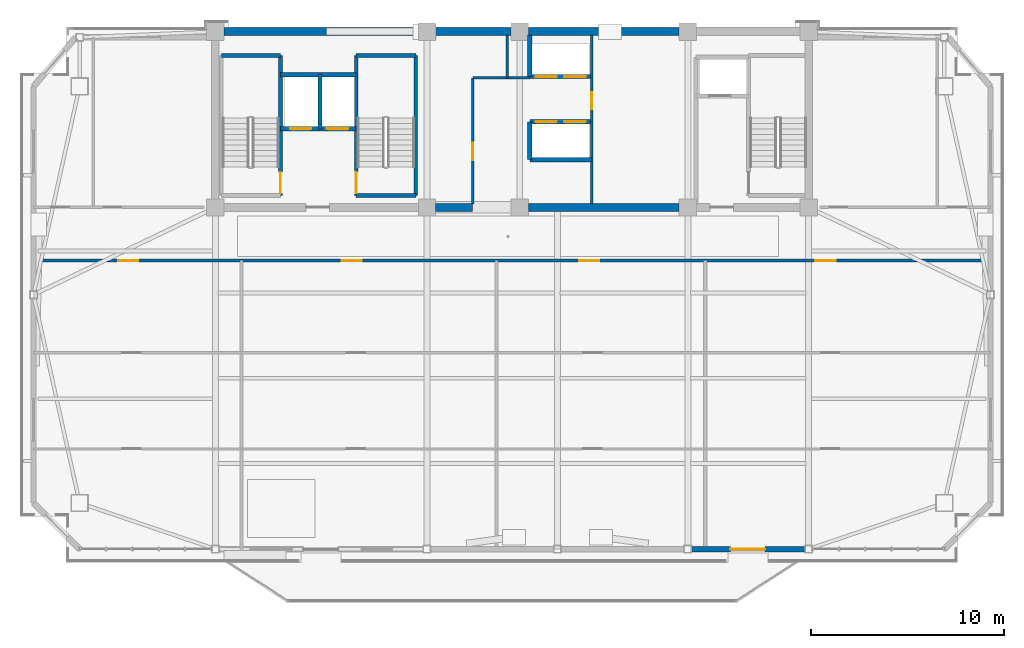
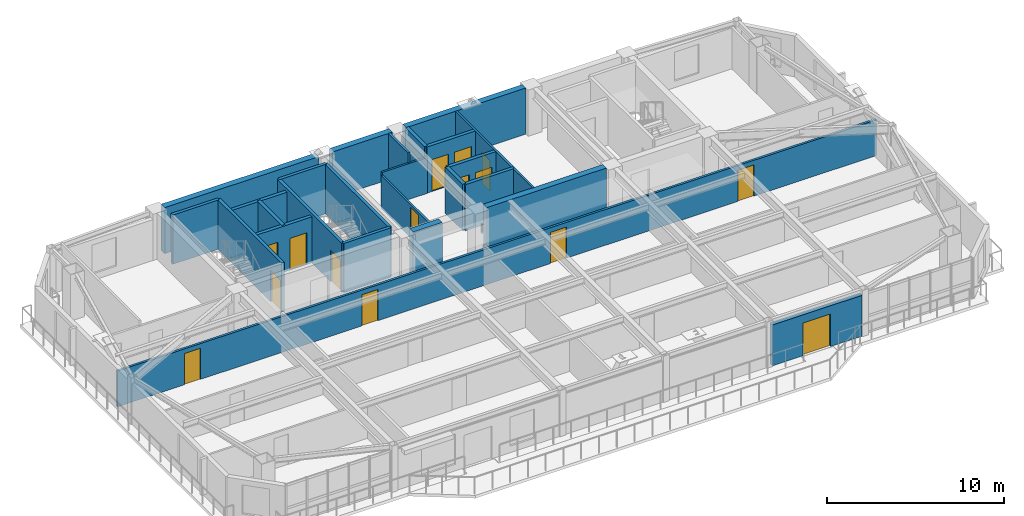
# One storey, part 7 of 13: 25 walls, 15 doors, 15 openings.
"""IFC4 building model written with IfcOpenShell, lengths in metres."""

from ifc_helpers import new_model, si_unit, direction, frame, frame_2d, origin, place, context, subcontext, project, spatial, rectangle, extrude, source, transform, mapped, material, layer, layer_set, type_object, element, fill, save


model = new_model("IFC4")

# Units and contexts
model_context = context("Model", 3, precision=1e-05, world=origin(), true_north=direction((0.0, 1.0)))
body_context = subcontext(model_context, "Body", "Model", "MODEL_VIEW")
ifc_project = project(units=[si_unit("LENGTHUNIT", "METRE"), si_unit("AREAUNIT", "SQUARE_METRE"), si_unit("VOLUMEUNIT", "CUBIC_METRE"), si_unit("PLANEANGLEUNIT", "RADIAN"), si_unit("MASSUNIT", "GRAM", prefix="KILO")], contexts=[model_context])

# Site, building, storey
site_placement = place(None, origin())
site = spatial("IfcSite", under=ifc_project, at=site_placement, CompositionType="ELEMENT")
building_placement = place(site_placement, origin())
building = spatial("IfcBuilding", under=site, at=building_placement, Name="Giltprow Tower", CompositionType="ELEMENT")
storey_placement = place(building_placement, frame((0.0, 0.0, 307.39990234375)))
storey = spatial("IfcBuildingStorey", under=building, at=storey_placement, Name="L79", CompositionType="ELEMENT", Elevation=307.39990234375)

# Wall, opening, door
ifc_material_1 = material(Name="Precast concrete C40", Category="concrete")
ifc_layer_1 = layer(ifc_material_1, 0.280029296875, Name="Precast concrete C40")
ifc_layer_set_1 = layer_set([ifc_layer_1], Name="Precast concrete C40")
wall_type_1 = type_object("IfcWallType", Name="EW-TOW-BRONZE-280", PredefinedType="SOLIDWALL", material=ifc_layer_set_1)
wall_1_placement = place(storey_placement, frame((44.5, 19.77197265625, 0.0), z_axis=(0.0, 0.0, 1.0), x_axis=(1.0, 0.0, 0.0)))
wall_1 = element("IfcWall", 1, at=wall_1_placement, inside=storey, type_object=wall_type_1, Name="L79 South Expressed Frame Wall 5", PredefinedType="SOLIDWALL", context=body_context, shape_type="SweptSolid", body=[
    extrude(rectangle(XDim=5.85009765625, YDim=0.280029296875, at=frame_2d((2.925048828125, 0.0))), origin(), (0.0, 0.0, 1.0), 2.815185546875),
])
opening_1_placement = place(wall_1_placement, frame((2.0, 0.0, 0.0)))
opening_1 = element("IfcOpeningElement", 2, at=opening_1_placement, cuts=wall_1, Name="Opening ED25", PredefinedType="OPENING", context=body_context, shape_type="SweptSolid", body=[
    extrude(rectangle(XDim=1.800048828125, YDim=2.25, at=frame_2d((0.89990234375, 1.125))), frame((0.0, 0.14990234375, 0.0), z_axis=(0.0, -1.0, 0.0), x_axis=(1.0, 0.0, 0.0)), (0.0, 0.0, 1.0), 0.300048828125),
])
ifc_material_2 = material(Name="Anodized bronze and glass", Category="glass")
door_type_1 = type_object("IfcDoorType", Name="DR-BALC-SLIDE-1800", OperationType="SLIDING_TO_LEFT", PredefinedType="DOOR", material=ifc_material_2)
shared_shape_1 = source(origin(), body_context, "Body", "SweptSolid", [
    extrude(rectangle(XDim=1.800048828125, YDim=2.25, at=frame_2d((0.89990234375, 1.125))), frame((0.0, 0.02490234375, 0.0), z_axis=(0.0, -1.0, 0.0), x_axis=(1.0, 0.0, 0.0)), (0.0, 0.0, 1.0), 0.050048828125),
])
door_1_placement = place(opening_1_placement, origin())
door_1 = element("IfcDoor", 3, at=door_1_placement, inside=storey, type_object=door_type_1, Name="L79 Waterfront Balcony Sliding Door 2", OperationType="SLIDING_TO_LEFT", OverallHeight=2.25, OverallWidth=1.800048828125, PredefinedType="DOOR", context=body_context, shape_type="MappedRepresentation", body=[
    mapped(shared_shape_1, transform((0.0, 0.0, 0.0), x_axis=(1.0, 0.0, 0.0), y_axis=(0.0, 1.0, 0.0), z_axis=(0.0, 0.0, 1.0), scale=1.0)),
])
fill(opening_1, door_1)

# Wall, openings, doors
ifc_material_3 = material(Name="Gypsum stud partition", Category="gypsum")
ifc_layer_2 = layer(ifc_material_3, 0.14990234375, Name="Gypsum stud partition")
ifc_layer_set_2 = layer_set([ifc_layer_2], Name="Gypsum stud partition")
wall_type_2 = type_object("IfcWallType", Name="IW-CORR-150", PredefinedType="PARTITIONING", material=ifc_layer_set_2)
wall_2_placement = place(storey_placement, frame((10.43994140625, 34.699951171875, 0.0), z_axis=(0.0, 0.0, 1.0), x_axis=(1.0, 0.0, 0.0)))
wall_2 = element("IfcWall", 4, at=wall_2_placement, inside=storey, type_object=wall_type_2, Name="L79 Residence Gallery Corridor Wall", PredefinedType="PARTITIONING", context=body_context, shape_type="SweptSolid", body=[
    extrude(rectangle(XDim=49.52001953125, YDim=0.14990234375, at=frame_2d((24.760009765625, 0.0))), origin(), (0.0, 0.0, 1.0), 2.47021484375),
])
opening_2_placement = place(wall_2_placement, frame((4.382080078125, 0.0, 0.0)))
opening_2 = element("IfcOpeningElement", 5, at=opening_2_placement, cuts=wall_2, Name="Opening ID31", PredefinedType="OPENING", context=body_context, shape_type="SweptSolid", body=[
    extrude(rectangle(XDim=1.050048828125, YDim=2.14990234375, at=frame_2d((0.52490234375, 1.074951171875))), frame((0.0, 0.0849609375, 0.0), z_axis=(0.0, -1.0, 0.0), x_axis=(1.0, 0.0, 0.0)), (0.0, 0.0, 1.0), 0.169921875),
])
opening_3_placement = place(wall_2_placement, frame((15.945068359375, 0.0, 0.0)))
opening_3 = element("IfcOpeningElement", 6, at=opening_3_placement, cuts=wall_2, Name="Opening ID31", PredefinedType="OPENING", context=body_context, shape_type="SweptSolid", body=[
    extrude(rectangle(XDim=1.050048828125, YDim=2.14990234375, at=frame_2d((0.52490234375, 1.074951171875))), frame((0.0, 0.0849609375, 0.0), z_axis=(0.0, -1.0, 0.0), x_axis=(1.0, 0.0, 0.0)), (0.0, 0.0, 1.0), 0.169921875),
])
opening_4_placement = place(wall_2_placement, frame((28.23291015625, 0.0, 0.0)))
opening_4 = element("IfcOpeningElement", 7, at=opening_4_placement, cuts=wall_2, Name="Opening ID31", PredefinedType="OPENING", context=body_context, shape_type="SweptSolid", body=[
    extrude(rectangle(XDim=1.050048828125, YDim=2.14990234375, at=frame_2d((0.52490234375, 1.074951171875))), frame((0.0, 0.0849609375, 0.0), z_axis=(0.0, -1.0, 0.0), x_axis=(1.0, 0.0, 0.0)), (0.0, 0.0, 1.0), 0.169921875),
])
opening_5_placement = place(wall_2_placement, frame((40.4619140625, 0.0, 0.0)))
opening_5 = element("IfcOpeningElement", 8, at=opening_5_placement, cuts=wall_2, Name="Opening ID31", PredefinedType="OPENING", context=body_context, shape_type="SweptSolid", body=[
    extrude(rectangle(XDim=1.050048828125, YDim=2.14990234375, at=frame_2d((0.52490234375, 1.074951171875))), frame((0.0, 0.0849609375, 0.0), z_axis=(0.0, -1.0, 0.0), x_axis=(1.0, 0.0, 0.0)), (0.0, 0.0, 1.0), 0.169921875),
])
ifc_material_4 = material(Name="Engineered timber", Category="wood")
door_type_2 = type_object("IfcDoorType", Name="DR-SUITE-1050", OperationType="SINGLE_SWING_LEFT", PredefinedType="DOOR", material=ifc_material_4)
shared_shape_2 = source(origin(), body_context, "Body", "SweptSolid", [
    extrude(rectangle(XDim=1.050048828125, YDim=2.14990234375, at=frame_2d((0.52490234375, 1.074951171875))), frame((0.0, 0.02490234375, 0.0), z_axis=(0.0, -1.0, 0.0), x_axis=(1.0, 0.0, 0.0)), (0.0, 0.0, 1.0), 0.050048828125),
])
door_2_placement = place(opening_2_placement, origin())
door_2 = element("IfcDoor", 9, at=door_2_placement, inside=storey, type_object=door_type_2, Name="L79 Residents Study Office North Door", OperationType="SINGLE_SWING_RIGHT", OverallHeight=2.14990234375, OverallWidth=1.050048828125, PredefinedType="DOOR", context=body_context, shape_type="MappedRepresentation", body=[
    mapped(shared_shape_2, transform((0.0, 0.0, 0.0), x_axis=(1.0, 0.0, 0.0), y_axis=(0.0, 1.0, 0.0), z_axis=(0.0, 0.0, 1.0), scale=1.0)),
])
fill(opening_2, door_2)
door_3_placement = place(opening_3_placement, origin())
door_3 = element("IfcDoor", 10, at=door_3_placement, inside=storey, type_object=door_type_2, Name="L79 Residents Sky Club Lounge North Door", OperationType="SINGLE_SWING_LEFT", OverallHeight=2.14990234375, OverallWidth=1.050048828125, PredefinedType="DOOR", context=body_context, shape_type="MappedRepresentation", body=[
    mapped(shared_shape_2, transform((0.0, 0.0, 0.0), x_axis=(1.0, 0.0, 0.0), y_axis=(0.0, 1.0, 0.0), z_axis=(0.0, 0.0, 1.0), scale=1.0)),
])
fill(opening_3, door_3)
door_4_placement = place(opening_4_placement, origin())
door_4 = element("IfcDoor", 11, at=door_4_placement, inside=storey, type_object=door_type_2, Name="L79 Residents Sky Club Lounge North Door", OperationType="SINGLE_SWING_RIGHT", OverallHeight=2.14990234375, OverallWidth=1.050048828125, PredefinedType="DOOR", context=body_context, shape_type="MappedRepresentation", body=[
    mapped(shared_shape_2, transform((0.0, 0.0, 0.0), x_axis=(1.0, 0.0, 0.0), y_axis=(0.0, 1.0, 0.0), z_axis=(0.0, 0.0, 1.0), scale=1.0)),
])
fill(opening_4, door_4)
door_5_placement = place(opening_5_placement, origin())
door_5 = element("IfcDoor", 12, at=door_5_placement, inside=storey, type_object=door_type_2, Name="L79 Boutique Florist Shop North Door", OperationType="SINGLE_SWING_LEFT", OverallHeight=2.14990234375, OverallWidth=1.050048828125, PredefinedType="DOOR", context=body_context, shape_type="MappedRepresentation", body=[
    mapped(shared_shape_2, transform((0.0, 0.0, 0.0), x_axis=(1.0, 0.0, 0.0), y_axis=(0.0, 1.0, 0.0), z_axis=(0.0, 0.0, 1.0), scale=1.0)),
])
fill(opening_5, door_5)

ifc_material_5 = material(Name="Concrete C40", Category="concrete")
ifc_layer_3 = layer(ifc_material_5, 0.219970703125, Name="Concrete C40")
ifc_layer_set_3 = layer_set([ifc_layer_3], Name="Concrete C40")
wall_type_3 = type_object("IfcWallType", Name="IW-SHAFT-220", PredefinedType="SOLIDWALL", material=ifc_layer_set_3)
wall_3_placement = place(storey_placement, frame((23.219970703125, 41.52001953125, 0.0), z_axis=(0.0, 0.0, 1.0), x_axis=(1.0, 0.0, 0.0)))
wall_3 = element("IfcWall", 13, at=wall_3_placement, inside=storey, type_object=wall_type_3, Name="L79 FFL1 and Service Lift Front Wall", PredefinedType="SOLIDWALL", context=body_context, shape_type="SweptSolid", body=[
    extrude(rectangle(XDim=3.919921875, YDim=0.219970703125, at=frame_2d((1.9599609375, 0.0))), origin(), (0.0, 0.0, 1.0), 3.18505859375),
])
opening_6_placement = place(wall_3_placement, frame((0.5, 0.0, 0.0)))
opening_6 = element("IfcOpeningElement", 14, at=opening_6_placement, cuts=wall_3, Name="Opening LD-11", PredefinedType="OPENING", context=body_context, shape_type="SweptSolid", body=[
    extrude(rectangle(XDim=1.10009765625, YDim=2.199951171875, at=frame_2d((0.550048828125, 1.10009765625))), frame((0.0, 0.119873046875, 0.0), z_axis=(0.0, -1.0, 0.0), x_axis=(1.0, 0.0, 0.0)), (0.0, 0.0, 1.0), 0.239990234375),
])
opening_7_placement = place(wall_3_placement, frame((2.39990234375, 0.0, 0.0)))
opening_7 = element("IfcOpeningElement", 15, at=opening_7_placement, cuts=wall_3, Name="Opening LD-11", PredefinedType="OPENING", context=body_context, shape_type="SweptSolid", body=[
    extrude(rectangle(XDim=1.10009765625, YDim=2.199951171875, at=frame_2d((0.550048828125, 1.10009765625))), frame((0.0, 0.119873046875, 0.0), z_axis=(0.0, -1.0, 0.0), x_axis=(1.0, 0.0, 0.0)), (0.0, 0.0, 1.0), 0.239990234375),
])
ifc_material_6 = material(Name="Stainless steel", Category="steel")
door_type_3 = type_object("IfcDoorType", Name="DR-LIFT-LD1100", OperationType="SLIDING_TO_LEFT", PredefinedType="DOOR", material=ifc_material_6)
shared_shape_3 = source(origin(), body_context, "Body", "SweptSolid", [
    extrude(rectangle(XDim=1.10009765625, YDim=2.199951171875, at=frame_2d((0.550048828125, 1.10009765625))), frame((0.0, 0.02490234375, 0.0), z_axis=(0.0, -1.0, 0.0), x_axis=(1.0, 0.0, 0.0)), (0.0, 0.0, 1.0), 0.050048828125),
])
door_6_placement = place(opening_6_placement, origin())
door_6 = element("IfcDoor", 16, at=door_6_placement, inside=storey, type_object=door_type_3, Name="L79 FFL1 Landing Door", OperationType="SLIDING_TO_LEFT", OverallHeight=2.199951171875, OverallWidth=1.10009765625, PredefinedType="DOOR", context=body_context, shape_type="MappedRepresentation", body=[
    mapped(shared_shape_3, transform((0.0, 0.0, 0.0), x_axis=(1.0, 0.0, 0.0), y_axis=(0.0, 1.0, 0.0), z_axis=(0.0, 0.0, 1.0), scale=1.0)),
])
fill(opening_6, door_6)
door_7_placement = place(opening_7_placement, origin())
door_7 = element("IfcDoor", 17, at=door_7_placement, inside=storey, type_object=door_type_3, Name="L79 SVL1 Landing Door", OperationType="SLIDING_TO_LEFT", OverallHeight=2.199951171875, OverallWidth=1.10009765625, PredefinedType="DOOR", context=body_context, shape_type="MappedRepresentation", body=[
    mapped(shared_shape_3, transform((0.0, 0.0, 0.0), x_axis=(1.0, 0.0, 0.0), y_axis=(0.0, 1.0, 0.0), z_axis=(0.0, 0.0, 1.0), scale=1.0)),
])
fill(opening_7, door_7)

# Walls
wall_4_placement = place(storey_placement, frame((25.260009765625, 41.52001953125, 0.0), z_axis=(0.0, 0.0, 1.0), x_axis=(0.0, 1.0, 0.0)))
element("IfcWall", 18, at=wall_4_placement, inside=storey, type_object=wall_type_3, Name="L79 FFL1-SVL1 Shaft Divider", PredefinedType="SOLIDWALL", context=body_context, shape_type="SweptSolid", body=[
    extrude(rectangle(XDim=2.800048828125, YDim=0.219970703125, at=frame_2d((1.39990234375, 0.0))), origin(), (0.0, 0.0, 1.0), 3.18505859375),
])
wall_5_placement = place(storey_placement, frame((23.219970703125, 44.320068359375, 0.0), z_axis=(0.0, 0.0, 1.0), x_axis=(1.0, 0.0, 0.0)))
element("IfcWall", 19, at=wall_5_placement, inside=storey, type_object=wall_type_3, Name="L79 FFL1-SVL1 Back Shaft Wall", PredefinedType="SOLIDWALL", context=body_context, shape_type="SweptSolid", body=[
    extrude(rectangle(XDim=3.919921875, YDim=0.219970703125, at=frame_2d((1.9599609375, 0.0))), origin(), (0.0, 0.0, 1.0), 3.18505859375),
])

# Wall, openings, doors
wall_6_placement = place(storey_placement, frame((36.1201171875, 44.219970703125, 0.0), z_axis=(0.0, 0.0, 1.0), x_axis=(1.0, 0.0, 0.0)))
wall_6 = element("IfcWall", 20, at=wall_6_placement, inside=storey, type_object=wall_type_3, Name="L79 High-Rise Lift Shaft Front Wall N", PredefinedType="SOLIDWALL", context=body_context, shape_type="SweptSolid", body=[
    extrude(rectangle(XDim=3.199951171875, YDim=0.219970703125, at=frame_2d((1.60009765625, 0.0))), origin(), (0.0, 0.0, 1.0), 3.18505859375),
])
opening_8_placement = place(wall_6_placement, frame((0.300048828125, 0.0, 0.0)))
opening_8 = element("IfcOpeningElement", 21, at=opening_8_placement, cuts=wall_6, Name="Opening LD-11", PredefinedType="OPENING", context=body_context, shape_type="SweptSolid", body=[
    extrude(rectangle(XDim=1.10009765625, YDim=2.199951171875, at=frame_2d((0.550048828125, 1.10009765625))), frame((0.0, 0.119873046875, 0.0), z_axis=(0.0, -1.0, 0.0), x_axis=(1.0, 0.0, 0.0)), (0.0, 0.0, 1.0), 0.239990234375),
])
opening_9_placement = place(wall_6_placement, frame((1.7900390625, 0.0, 0.0)))
opening_9 = element("IfcOpeningElement", 22, at=opening_9_placement, cuts=wall_6, Name="Opening LD-11", PredefinedType="OPENING", context=body_context, shape_type="SweptSolid", body=[
    extrude(rectangle(XDim=1.10009765625, YDim=2.199951171875, at=frame_2d((0.550048828125, 1.10009765625))), frame((0.0, 0.119873046875, 0.0), z_axis=(0.0, -1.0, 0.0), x_axis=(1.0, 0.0, 0.0)), (0.0, 0.0, 1.0), 0.239990234375),
])
door_8_placement = place(opening_8_placement, origin())
door_8 = element("IfcDoor", 23, at=door_8_placement, inside=storey, type_object=door_type_3, Name="L79 PL-H1 Landing Door", OperationType="SLIDING_TO_LEFT", OverallHeight=2.199951171875, OverallWidth=1.10009765625, PredefinedType="DOOR", context=body_context, shape_type="MappedRepresentation", body=[
    mapped(shared_shape_3, transform((0.0, 0.0, 0.0), x_axis=(1.0, 0.0, 0.0), y_axis=(0.0, 1.0, 0.0), z_axis=(0.0, 0.0, 1.0), scale=1.0)),
])
fill(opening_8, door_8)
door_9_placement = place(opening_9_placement, origin())
door_9 = element("IfcDoor", 24, at=door_9_placement, inside=storey, type_object=door_type_3, Name="L79 PL-H2 Landing Door", OperationType="SLIDING_TO_LEFT", OverallHeight=2.199951171875, OverallWidth=1.10009765625, PredefinedType="DOOR", context=body_context, shape_type="MappedRepresentation", body=[
    mapped(shared_shape_3, transform((0.0, 0.0, 0.0), x_axis=(1.0, 0.0, 0.0), y_axis=(0.0, 1.0, 0.0), z_axis=(0.0, 0.0, 1.0), scale=1.0)),
])
fill(opening_9, door_9)

wall_7_placement = place(storey_placement, frame((36.1201171875, 41.8798828125, 0.0), z_axis=(0.0, 0.0, 1.0), x_axis=(1.0, 0.0, 0.0)))
wall_7 = element("IfcWall", 25, at=wall_7_placement, inside=storey, type_object=wall_type_3, Name="L79 High-Rise Lift Shaft Front Wall S", PredefinedType="SOLIDWALL", context=body_context, shape_type="SweptSolid", body=[
    extrude(rectangle(XDim=3.199951171875, YDim=0.219970703125, at=frame_2d((1.60009765625, 0.0))), origin(), (0.0, 0.0, 1.0), 3.18505859375),
])
opening_10_placement = place(wall_7_placement, frame((0.300048828125, 0.0, 0.0)))
opening_10 = element("IfcOpeningElement", 26, at=opening_10_placement, cuts=wall_7, Name="Opening LD-11", PredefinedType="OPENING", context=body_context, shape_type="SweptSolid", body=[
    extrude(rectangle(XDim=1.10009765625, YDim=2.199951171875, at=frame_2d((0.550048828125, 1.10009765625))), frame((0.0, 0.119873046875, 0.0), z_axis=(0.0, -1.0, 0.0), x_axis=(1.0, 0.0, 0.0)), (0.0, 0.0, 1.0), 0.239990234375),
])
opening_11_placement = place(wall_7_placement, frame((1.7900390625, 0.0, 0.0)))
opening_11 = element("IfcOpeningElement", 27, at=opening_11_placement, cuts=wall_7, Name="Opening LD-11", PredefinedType="OPENING", context=body_context, shape_type="SweptSolid", body=[
    extrude(rectangle(XDim=1.10009765625, YDim=2.199951171875, at=frame_2d((0.550048828125, 1.10009765625))), frame((0.0, 0.119873046875, 0.0), z_axis=(0.0, -1.0, 0.0), x_axis=(1.0, 0.0, 0.0)), (0.0, 0.0, 1.0), 0.239990234375),
])
door_10_placement = place(opening_10_placement, origin())
door_10 = element("IfcDoor", 28, at=door_10_placement, inside=storey, type_object=door_type_3, Name="L79 PL-H3 Landing Door", OperationType="SLIDING_TO_LEFT", OverallHeight=2.199951171875, OverallWidth=1.10009765625, PredefinedType="DOOR", context=body_context, shape_type="MappedRepresentation", body=[
    mapped(shared_shape_3, transform((0.0, 0.0, 0.0), x_axis=(1.0, 0.0, 0.0), y_axis=(0.0, 1.0, 0.0), z_axis=(0.0, 0.0, 1.0), scale=1.0)),
])
fill(opening_10, door_10)
door_11_placement = place(opening_11_placement, origin())
door_11 = element("IfcDoor", 29, at=door_11_placement, inside=storey, type_object=door_type_3, Name="L79 PL-H4 Landing Door", OperationType="SLIDING_TO_LEFT", OverallHeight=2.199951171875, OverallWidth=1.10009765625, PredefinedType="DOOR", context=body_context, shape_type="MappedRepresentation", body=[
    mapped(shared_shape_3, transform((0.0, 0.0, 0.0), x_axis=(1.0, 0.0, 0.0), y_axis=(0.0, 1.0, 0.0), z_axis=(0.0, 0.0, 1.0), scale=1.0)),
])
fill(opening_11, door_11)

# Walls
wall_8_placement = place(storey_placement, frame((36.1201171875, 39.919921875, 0.0), z_axis=(0.0, 0.0, 1.0), x_axis=(1.0, 0.0, 0.0)))
element("IfcWall", 30, at=wall_8_placement, inside=storey, type_object=wall_type_3, Name="L79 High-Rise South Lift Back Wall", PredefinedType="SOLIDWALL", context=body_context, shape_type="SweptSolid", body=[
    extrude(rectangle(XDim=3.199951171875, YDim=0.219970703125, at=frame_2d((1.60009765625, 0.0))), origin(), (0.0, 0.0, 1.0), 3.18505859375),
])
wall_9_placement = place(storey_placement, frame((36.1201171875, 39.919921875, 0.0), z_axis=(0.0, 0.0, 1.0), x_axis=(0.0, 1.0, 0.0)))
element("IfcWall", 31, at=wall_9_placement, inside=storey, type_object=wall_type_3, Name="L79 High-Rise South Lift West Closure", PredefinedType="SOLIDWALL", context=body_context, shape_type="SweptSolid", body=[
    extrude(rectangle(XDim=1.9599609375, YDim=0.219970703125, at=frame_2d((0.97998046875, 0.0))), origin(), (0.0, 0.0, 1.0), 3.18505859375),
])
wall_10_placement = place(storey_placement, frame((36.1201171875, 44.219970703125, 0.0), z_axis=(0.0, 0.0, 1.0), x_axis=(0.0, 1.0, 0.0)))
element("IfcWall", 32, at=wall_10_placement, inside=storey, type_object=wall_type_3, Name="L79 High-Rise North Lift West Closure", PredefinedType="SOLIDWALL", context=body_context, shape_type="SweptSolid", body=[
    extrude(rectangle(XDim=2.150146484375, YDim=0.219970703125, at=frame_2d((1.0751953125, 0.0))), origin(), (0.0, 0.0, 1.0), 3.18505859375),
])

# Wall, opening, door
ifc_layer_4 = layer(ifc_material_5, 0.199951171875, Name="Concrete C40")
ifc_layer_set_4 = layer_set([ifc_layer_4], Name="Concrete C40")
wall_type_4 = type_object("IfcWallType", Name="IW-STAIR-200", PredefinedType="SOLIDWALL", material=ifc_layer_set_4)
wall_11_placement = place(storey_placement, frame((23.219970703125, 38.070068359375, 0.0), z_axis=(0.0, 0.0, 1.0), x_axis=(0.0, 1.0, 0.0)))
wall_11 = element("IfcWall", 33, at=wall_11_placement, inside=storey, type_object=wall_type_4, Name="L79 Stair ST-1 East Bearing Wall", PredefinedType="SOLIDWALL", context=body_context, shape_type="SweptSolid", body=[
    extrude(rectangle(XDim=7.25, YDim=0.199951171875, at=frame_2d((3.625, 0.0))), origin(), (0.0, 0.0, 1.0), 3.400146484375),
])
opening_12_placement = place(wall_11_placement, frame((0.110107421875, 0.0, 0.0)))
opening_12 = element("IfcOpeningElement", 34, at=opening_12_placement, cuts=wall_11, Name="Opening ID33", PredefinedType="OPENING", context=body_context, shape_type="SweptSolid", body=[
    extrude(rectangle(XDim=1.10009765625, YDim=2.14990234375, at=frame_2d((0.550048828125, 1.074951171875))), frame((0.0, 0.10986328125, 0.0), z_axis=(0.0, -1.0, 0.0), x_axis=(1.0, 0.0, 0.0)), (0.0, 0.0, 1.0), 0.219970703125),
])
ifc_material_7 = material(Name="Steel fire leaf", Category="steel")
door_type_4 = type_object("IfcDoorType", Name="DR-STAIR-1100", OperationType="SINGLE_SWING_LEFT", PredefinedType="DOOR", material=ifc_material_7)
shared_shape_4 = source(origin(), body_context, "Body", "SweptSolid", [
    extrude(rectangle(XDim=1.10009765625, YDim=2.14990234375, at=frame_2d((0.550048828125, 1.074951171875))), frame((0.0, 0.02490234375, 0.0), z_axis=(0.0, -1.0, 0.0), x_axis=(1.0, 0.0, 0.0)), (0.0, 0.0, 1.0), 0.050048828125),
])
door_12_placement = place(opening_12_placement, origin())
door_12 = element("IfcDoor", 35, at=door_12_placement, inside=storey, type_object=door_type_4, Name="L79 Stair ST-1 Fire Door", OperationType="SINGLE_SWING_LEFT", OverallHeight=2.14990234375, OverallWidth=1.10009765625, PredefinedType="DOOR", context=body_context, shape_type="MappedRepresentation", body=[
    mapped(shared_shape_4, transform((0.0, 0.0, 0.0), x_axis=(1.0, 0.0, 0.0), y_axis=(0.0, 1.0, 0.0), z_axis=(0.0, 0.0, 1.0), scale=1.0)),
])
fill(opening_12, door_12)

# Wall
wall_12_placement = place(storey_placement, frame((20.169921875, 45.320068359375, 0.0), z_axis=(0.0, 0.0, 1.0), x_axis=(1.0, 0.0, 0.0)))
element("IfcWall", 36, at=wall_12_placement, inside=storey, type_object=wall_type_4, Name="L79 Stair ST-1 North Bearing Wall", PredefinedType="SOLIDWALL", context=body_context, shape_type="SweptSolid", body=[
    extrude(rectangle(XDim=3.050048828125, YDim=0.199951171875, at=frame_2d((1.52490234375, 0.0))), origin(), (0.0, 0.0, 1.0), 3.400146484375),
])

# Wall, opening, door
wall_13_placement = place(storey_placement, frame((27.139892578125, 38.070068359375, 0.0), z_axis=(0.0, 0.0, 1.0), x_axis=(0.0, 1.0, 0.0)))
wall_13 = element("IfcWall", 37, at=wall_13_placement, inside=storey, type_object=wall_type_4, Name="L79 Stair ST-2 West Bearing Wall", PredefinedType="SOLIDWALL", context=body_context, shape_type="SweptSolid", body=[
    extrude(rectangle(XDim=7.25, YDim=0.199951171875, at=frame_2d((3.625, 0.0))), origin(), (0.0, 0.0, 1.0), 3.400146484375),
])
opening_13_placement = place(wall_13_placement, frame((0.110107421875, 0.0, 0.0)))
opening_13 = element("IfcOpeningElement", 38, at=opening_13_placement, cuts=wall_13, Name="Opening ID33", PredefinedType="OPENING", context=body_context, shape_type="SweptSolid", body=[
    extrude(rectangle(XDim=1.10009765625, YDim=2.14990234375, at=frame_2d((0.550048828125, 1.074951171875))), frame((0.0, 0.10986328125, 0.0), z_axis=(0.0, -1.0, 0.0), x_axis=(1.0, 0.0, 0.0)), (0.0, 0.0, 1.0), 0.219970703125),
])
door_13_placement = place(opening_13_placement, origin())
door_13 = element("IfcDoor", 39, at=door_13_placement, inside=storey, type_object=door_type_4, Name="L79 Stair ST-2 Fire Door", OperationType="SINGLE_SWING_RIGHT", OverallHeight=2.14990234375, OverallWidth=1.10009765625, PredefinedType="DOOR", context=body_context, shape_type="MappedRepresentation", body=[
    mapped(shared_shape_4, transform((0.0, 0.0, 0.0), x_axis=(1.0, 0.0, 0.0), y_axis=(0.0, 1.0, 0.0), z_axis=(0.0, 0.0, 1.0), scale=1.0)),
])
fill(opening_13, door_13)

# Walls
wall_14_placement = place(storey_placement, frame((30.219970703125, 38.070068359375, 0.0), z_axis=(0.0, 0.0, 1.0), x_axis=(0.0, 1.0, 0.0)))
element("IfcWall", 40, at=wall_14_placement, inside=storey, type_object=wall_type_4, Name="L79 Stair ST-2 East Bearing Wall", PredefinedType="SOLIDWALL", context=body_context, shape_type="SweptSolid", body=[
    extrude(rectangle(XDim=7.25, YDim=0.199951171875, at=frame_2d((3.625, 0.0))), origin(), (0.0, 0.0, 1.0), 3.400146484375),
])
for number, where, z_axis, x_axis, name in (
    (41, (27.139892578125, 45.320068359375, 0.0), (0.0, 0.0, 1.0), (1.0, 0.0, 0.0), "L79 Stair ST-2 North Bearing Wall"),
    (42, (27.139892578125, 38.070068359375, 0.0), (0.0, 0.0, 1.0), (1.0, 0.0, 0.0), "L79 Stair ST-2 South Bearing Wall"),
):
    element("IfcWall", number, at=place(storey_placement, frame(where, z_axis=z_axis, x_axis=x_axis)), inside=storey, type_object=wall_type_4, Name=name, PredefinedType="SOLIDWALL", context=body_context, shape_type="SweptSolid", body=[
        extrude(rectangle(XDim=3.080078125, YDim=0.199951171875, at=frame_2d((1.5400390625, 0.0))), origin(), (0.0, 0.0, 1.0), 3.400146484375),
    ])

# Wall, opening, door
ifc_material_8 = material(Name="Concrete C30", Category="concrete")
ifc_layer_5 = layer(ifc_material_8, 0.1298828125, Name="Concrete C30")
ifc_layer_set_5 = layer_set([ifc_layer_5], Name="Concrete C30")
wall_type_5 = type_object("IfcWallType", Name="IW-WET-130", PredefinedType="PARTITIONING", material=ifc_layer_set_5)
wall_15_placement = place(storey_placement, frame((33.179931640625, 37.6298828125, 0.0), z_axis=(0.0, 0.0, 1.0), x_axis=(0.0, 1.0, 0.0)))
wall_15 = element("IfcWall", 43, at=wall_15_placement, inside=storey, type_object=wall_type_5, Name="L79 Reclaimed West Core Wall", PredefinedType="PARTITIONING", context=body_context, shape_type="SweptSolid", body=[
    extrude(rectangle(XDim=6.52001953125, YDim=0.1298828125, at=frame_2d((3.260009765625, 0.0))), origin(), (0.0, 0.0, 1.0), 2.27001953125),
])
opening_14_placement = place(wall_15_placement, frame((2.27001953125, 0.0, 0.0)))
opening_14 = element("IfcOpeningElement", 44, at=opening_14_placement, cuts=wall_15, Name="Opening ID35", PredefinedType="OPENING", context=body_context, shape_type="SweptSolid", body=[
    extrude(rectangle(XDim=0.89990234375, YDim=2.10009765625, at=frame_2d((0.449951171875, 1.050048828125))), frame((0.0, 0.074951171875, 0.0), z_axis=(0.0, -1.0, 0.0), x_axis=(1.0, 0.0, 0.0)), (0.0, 0.0, 1.0), 0.14990234375),
])
door_type_5 = type_object("IfcDoorType", Name="DR-SHAFT-900", OperationType="SINGLE_SWING_LEFT", PredefinedType="DOOR", material=ifc_material_7)
shared_shape_5 = source(origin(), body_context, "Body", "SweptSolid", [
    extrude(rectangle(XDim=0.89990234375, YDim=2.10009765625, at=frame_2d((0.449951171875, 1.050048828125))), frame((0.0, 0.02490234375, 0.0), z_axis=(0.0, -1.0, 0.0), x_axis=(1.0, 0.0, 0.0)), (0.0, 0.0, 1.0), 0.050048828125),
])
door_14_placement = place(opening_14_placement, origin())
door_14 = element("IfcDoor", 45, at=door_14_placement, inside=storey, type_object=door_type_5, Name="L79 Core Accessible Washroom Door", OperationType="SINGLE_SWING_RIGHT", OverallHeight=2.10009765625, OverallWidth=0.89990234375, PredefinedType="DOOR", context=body_context, shape_type="MappedRepresentation", body=[
    mapped(shared_shape_5, transform((0.0, 0.0, 0.0), x_axis=(1.0, 0.0, 0.0), y_axis=(0.0, 1.0, 0.0), z_axis=(0.0, 0.0, 1.0), scale=1.0)),
])
fill(opening_14, door_14)

# Walls
wall_16_placement = place(storey_placement, frame((34.949951171875, 44.14990234375, 0.0), z_axis=(0.0, 0.0, 1.0), x_axis=(0.0, 1.0, 0.0)))
element("IfcWall", 46, at=wall_16_placement, inside=storey, type_object=wall_type_5, Name="L79 Reclaimed West Pocket Wall E", PredefinedType="PARTITIONING", context=body_context, shape_type="SweptSolid", body=[
    extrude(rectangle(XDim=2.22021484375, YDim=0.1298828125, at=frame_2d((1.110107421875, 0.0))), origin(), (0.0, 0.0, 1.0), 3.18505859375),
])
wall_17_placement = place(storey_placement, frame((33.179931640625, 44.14990234375, 0.0), z_axis=(0.0, 0.0, 1.0), x_axis=(1.0, 0.0, 0.0)))
element("IfcWall", 47, at=wall_17_placement, inside=storey, type_object=wall_type_5, Name="L79 Reclaimed West Pocket Wall S", PredefinedType="PARTITIONING", context=body_context, shape_type="SweptSolid", body=[
    extrude(rectangle(XDim=2.940185546875, YDim=0.1298828125, at=frame_2d((1.47021484375, 0.0))), origin(), (0.0, 0.0, 1.0), 2.47021484375),
])

# Wall, opening, door
wall_18_placement = place(storey_placement, frame((39.320068359375, 37.6298828125, 0.0), z_axis=(0.0, 0.0, 1.0), x_axis=(0.0, 1.0, 0.0)))
wall_18 = element("IfcWall", 48, at=wall_18_placement, inside=storey, type_object=wall_type_5, Name="L79 Reclaimed East Core Wall", PredefinedType="PARTITIONING", context=body_context, shape_type="SweptSolid", body=[
    extrude(rectangle(XDim=8.740234375, YDim=0.1298828125, at=frame_2d((4.3701171875, 0.0))), origin(), (0.0, 0.0, 1.0), 3.18505859375),
])
opening_15_placement = place(wall_18_placement, frame((4.889892578125, 0.0, 0.0)))
opening_15 = element("IfcOpeningElement", 49, at=opening_15_placement, cuts=wall_18, Name="Opening ID35", PredefinedType="OPENING", context=body_context, shape_type="SweptSolid", body=[
    extrude(rectangle(XDim=0.89990234375, YDim=2.10009765625, at=frame_2d((0.449951171875, 1.050048828125))), frame((0.0, 0.074951171875, 0.0), z_axis=(0.0, -1.0, 0.0), x_axis=(1.0, 0.0, 0.0)), (0.0, 0.0, 1.0), 0.14990234375),
])
door_15_placement = place(opening_15_placement, origin())
door_15 = element("IfcDoor", 50, at=door_15_placement, inside=storey, type_object=door_type_5, Name="L79 Core Concierge Parcel Store Door", OperationType="SINGLE_SWING_LEFT", OverallHeight=2.10009765625, OverallWidth=0.89990234375, PredefinedType="DOOR", context=body_context, shape_type="MappedRepresentation", body=[
    mapped(shared_shape_5, transform((0.0, 0.0, 0.0), x_axis=(1.0, 0.0, 0.0), y_axis=(0.0, 1.0, 0.0), z_axis=(0.0, 0.0, 1.0), scale=1.0)),
])
fill(opening_15, door_15)

# Walls
ifc_material_9 = material(Name="Concrete C45", Category="concrete")
ifc_layer_6 = layer(ifc_material_9, 0.39990234375, Name="Concrete C45")
ifc_layer_set_6 = layer_set([ifc_layer_6], Name="Concrete C45")
wall_type_6 = type_object("IfcWallType", Name="SW-EXT-400-C45", PredefinedType="SHEAR", material=ifc_layer_set_6)
wall_19_placement = place(storey_placement, frame((20.300048828125, 46.550048828125, 0.0), z_axis=(0.0, 0.0, 1.0), x_axis=(1.0, 0.0, 0.0)))
element("IfcWall", 51, at=wall_19_placement, inside=storey, type_object=wall_type_6, Name="L79 North Rear Core Shear Wall 1", PredefinedType="SHEAR", context=body_context, shape_type="SweptSolid", body=[
    extrude(rectangle(XDim=10.050048828125, YDim=0.39990234375, at=frame_2d((5.02490234375, 0.0))), origin(), (0.0, 0.0, 1.0), 3.18505859375),
])
wall_20_placement = place(storey_placement, frame((31.25, 46.550048828125, 0.0), z_axis=(0.0, 0.0, 1.0), x_axis=(1.0, 0.0, 0.0)))
element("IfcWall", 52, at=wall_20_placement, inside=storey, type_object=wall_type_6, Name="L79 North Rear Core Shear Wall 2", PredefinedType="SHEAR", context=body_context, shape_type="SweptSolid", body=[
    extrude(rectangle(XDim=3.89990234375, YDim=0.39990234375, at=frame_2d((1.949951171875, 0.0))), origin(), (0.0, 0.0, 1.0), 3.18505859375),
])
wall_21_placement = place(storey_placement, frame((36.050048828125, 46.550048828125, 0.0), z_axis=(0.0, 0.0, 1.0), x_axis=(1.0, 0.0, 0.0)))
element("IfcWall", 53, at=wall_21_placement, inside=storey, type_object=wall_type_6, Name="L79 North Rear Core Shear Wall 3", PredefinedType="SHEAR", context=body_context, shape_type="SweptSolid", body=[
    extrude(rectangle(XDim=7.800048828125, YDim=0.39990234375, at=frame_2d((3.89990234375, 0.0))), origin(), (0.0, 0.0, 1.0), 3.18505859375),
])
ifc_layer_7 = layer(ifc_material_9, 0.39990234375, Name="Concrete C45")
ifc_layer_set_7 = layer_set([ifc_layer_7], Name="Concrete C45")
wall_type_7 = type_object("IfcWallType", Name="SW-INT-400-C45", PredefinedType="SHEAR", material=ifc_layer_set_7)
wall_22_placement = place(storey_placement, frame((31.25, 37.449951171875, 0.0), z_axis=(0.0, 0.0, 1.0), x_axis=(1.0, 0.0, 0.0)))
element("IfcWall", 54, at=wall_22_placement, inside=storey, type_object=wall_type_7, Name="L79 South Rear Core Shear Wall Mid-West", PredefinedType="SHEAR", context=body_context, shape_type="SweptSolid", body=[
    extrude(rectangle(XDim=1.89990234375, YDim=0.39990234375, at=frame_2d((0.949951171875, 0.0))), origin(), (0.0, 0.0, 1.0), 3.18505859375),
])
wall_23_placement = place(storey_placement, frame((36.050048828125, 37.449951171875, 0.0), z_axis=(0.0, 0.0, 1.0), x_axis=(1.0, 0.0, 0.0)))
element("IfcWall", 55, at=wall_23_placement, inside=storey, type_object=wall_type_7, Name="L79 South Rear Core Shear Wall Mid-East", PredefinedType="SHEAR", context=body_context, shape_type="SweptSolid", body=[
    extrude(rectangle(XDim=7.800048828125, YDim=0.39990234375, at=frame_2d((3.89990234375, 0.0))), origin(), (0.0, 0.0, 1.0), 3.18505859375),
])

save(model, "model.ifc")
